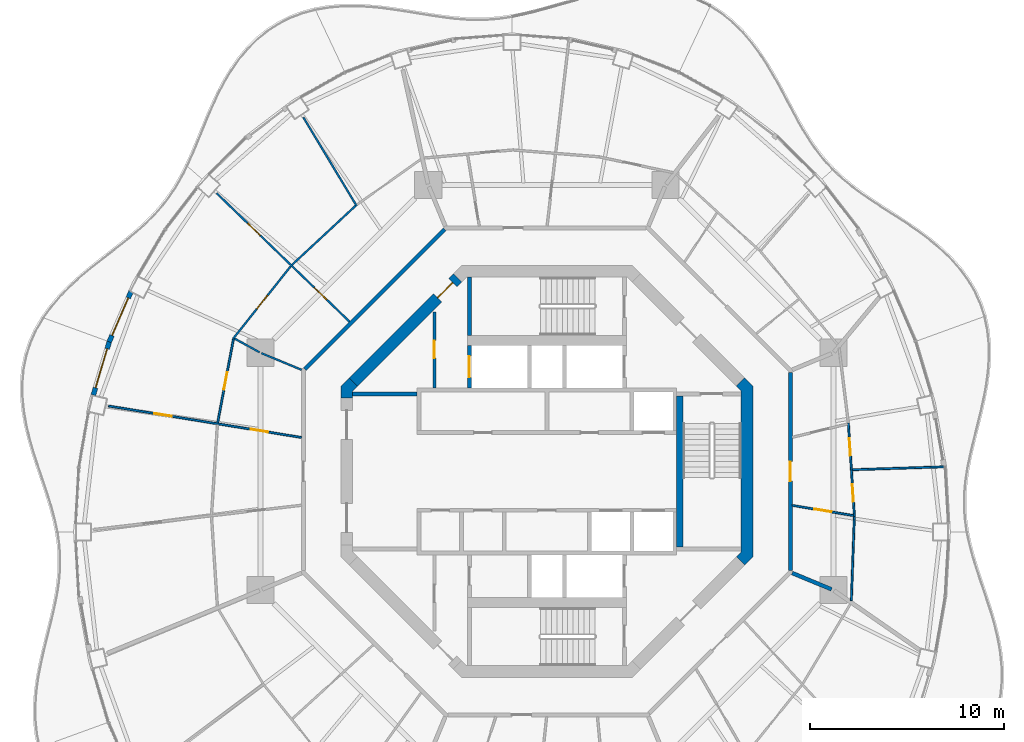
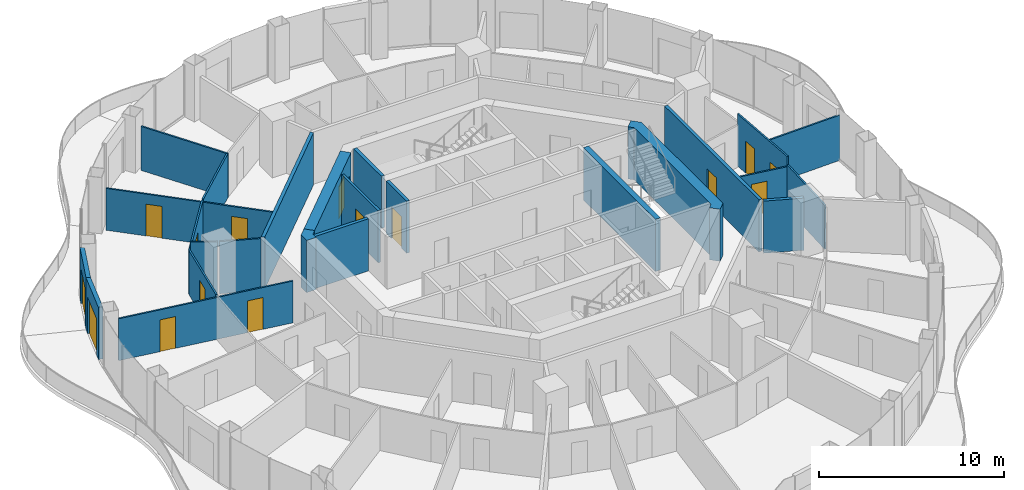
# One storey, part 12 of 17: 25 walls, 15 doors, 15 openings.
"""IFC4 building model written with IfcOpenShell, lengths in metres."""

from ifc_helpers import new_model, si_unit, direction, frame, frame_2d, origin, place, context, subcontext, project, spatial, polyline, rectangle, outline, extrude, material, layer, layer_set, type_object, element, fill, save


model = new_model("IFC4")

# Units and contexts
model_context = context("Model", 3, precision=1e-05, world=origin(), true_north=direction((0.0, 1.0)))
body_context = subcontext(model_context, "Body", "Model", "MODEL_VIEW")
ifc_project = project(units=[si_unit("LENGTHUNIT", "METRE"), si_unit("AREAUNIT", "SQUARE_METRE"), si_unit("VOLUMEUNIT", "CUBIC_METRE"), si_unit("PLANEANGLEUNIT", "RADIAN"), si_unit("MASSUNIT", "GRAM", prefix="KILO")], contexts=[model_context])

# Site, building, storey
site_placement = place(None, origin())
site = spatial("IfcSite", under=ifc_project, at=site_placement, CompositionType="ELEMENT")
building_placement = place(site_placement, origin())
building = spatial("IfcBuilding", under=site, at=building_placement, Name="Nagisa Residences", CompositionType="ELEMENT")
storey_placement = place(building_placement, frame((0.0, 0.0, 288.10009765625)))
storey = spatial("IfcBuildingStorey", under=building, at=storey_placement, Name="L73", CompositionType="ELEMENT", Elevation=288.10009765625)

# Wall
ifc_material_1 = material(Name="Gypsum board on steel studs", Category="steel")
ifc_layer_1 = layer(ifc_material_1, 0.199951171875)
ifc_layer_set_1 = layer_set([ifc_layer_1], Name="Apartment compartment wall EI60 200")
wall_type_1 = type_object("IfcWallType", Name="Apartment compartment wall EI60 200", PredefinedType="PARTITIONING", material=ifc_layer_set_1)
wall_1_placement = place(storey_placement, frame((12.6572265625, -5.24267578125, 0.0), z_axis=(0.0, 0.0, 1.0), x_axis=(0.92383017907, -0.382802560388, 0.0)))
element("IfcWall", 1, at=wall_1_placement, inside=storey, type_object=wall_type_1, Name="wall:L73:u12", PredefinedType="PARTITIONING", context=body_context, shape_type="SweptSolid", body=[
    extrude(rectangle(XDim=2.2001953125, YDim=0.199951171875, at=frame_2d((1.10009765625, 0.0))), origin(), (0.0, 0.0, 1.0), 3.43994140625),
])

# Wall, opening, door
ifc_material_2 = material(Name="Gypsum board on steel studs", Category="steel")
ifc_layer_2 = layer(ifc_material_2, 0.199951171875)
ifc_layer_set_2 = layer_set([ifc_layer_2], Name="Apartment entry wall EI60 200")
wall_type_2 = type_object("IfcWallType", Name="Apartment entry wall EI60 200", PredefinedType="PARTITIONING", material=ifc_layer_set_2)
wall_2_placement = place(storey_placement, frame((12.564697265625, -5.1044921875, 0.0), z_axis=(0.0, 0.0, 1.0), x_axis=(0.0, 1.0, 0.0)))
wall_2 = element("IfcWall", 2, at=wall_2_placement, inside=storey, type_object=wall_type_2, Name="wall:L73:u14", PredefinedType="PARTITIONING", context=body_context, shape_type="SweptSolid", body=[
    extrude(rectangle(XDim=10.208984375, YDim=0.199951171875, at=frame_2d((5.1044921875, 0.0))), origin(), (0.0, 0.0, 1.0), 3.43994140625),
])
opening_1_placement = place(wall_2_placement, frame((4.6044921875, 0.0, 0.0)))
opening_1 = element("IfcOpeningElement", 3, at=opening_1_placement, cuts=wall_2, Name="Opening L73-U20", PredefinedType="OPENING", context=body_context, shape_type="SweptSolid", body=[
    extrude(rectangle(XDim=1.0, YDim=2.10009765625, at=frame_2d((0.5, 1.050048828125))), frame((0.0, 0.10986328125, 0.0), z_axis=(0.0, -1.0, 0.0), x_axis=(1.0, 0.0, 0.0)), (0.0, 0.0, 1.0), 0.219970703125),
])
ifc_material_3 = material(Name="Timber fire door set", Category="wood")
door_type_1 = type_object("IfcDoorType", Name="Apartment entry door FD30S 1000x2100", OperationType="NOTDEFINED", PredefinedType="DOOR", material=ifc_material_3)
door_1_placement = place(opening_1_placement, frame((1.0, 0.0, 0.0), x_axis=(-1.0, 0.0, 0.0)))
door_1 = element("IfcDoor", 4, at=door_1_placement, inside=storey, type_object=door_type_1, Name="Entry door, Apartment 73D", OperationType="SINGLE_SWING_LEFT", OverallHeight=2.10009765625, OverallWidth=1.0, PredefinedType="DOOR", context=body_context, shape_type="SweptSolid", body=[
    extrude(rectangle(XDim=1.0, YDim=2.10009765625, at=frame_2d((0.5, 1.050048828125))), frame((0.0, 0.02490234375, 0.0), z_axis=(0.0, -1.0, 0.0), x_axis=(1.0, 0.0, 0.0)), (0.0, 0.0, 1.0), 0.050048828125),
])
fill(opening_1, door_1)

# Wall
wall_3_placement = place(storey_placement, frame((-5.275146484375, 12.494140625, 0.0), z_axis=(0.0, 0.0, 1.0), x_axis=(-0.707106781187, -0.707106781187, 0.0)))
element("IfcWall", 5, at=wall_3_placement, inside=storey, type_object=wall_type_2, Name="wall:L73:u17", PredefinedType="PARTITIONING", context=body_context, shape_type="SweptSolid", body=[
    extrude(rectangle(XDim=10.209228515625, YDim=0.199951171875, at=frame_2d((5.1044921875, 0.0))), origin(), (0.0, 0.0, 1.0), 3.43994140625),
])

# Wall, opening, door
ifc_material_4 = material(Name="Gypsum board on steel studs", Category="steel")
ifc_layer_3 = layer(ifc_material_4, 0.10009765625)
ifc_layer_set_3 = layer_set([ifc_layer_3], Name="Apartment partition 100")
wall_type_3 = type_object("IfcWallType", Name="Apartment partition 100", PredefinedType="PARTITIONING", material=ifc_layer_set_3)
wall_4_placement = place(storey_placement, frame((12.663330078125, -1.75146484375, 0.0), z_axis=(0.0, 0.0, 1.0), x_axis=(0.98626156497, -0.165191178529, 0.0)))
wall_4 = element("IfcWall", 6, at=wall_4_placement, inside=storey, type_object=wall_type_3, Name="wall:L73:u22", PredefinedType="PARTITIONING", context=body_context, shape_type="SweptSolid", body=[
    extrude(rectangle(XDim=3.1982421875, YDim=0.10009765625, at=frame_2d((1.59912109375, 0.0))), origin(), (0.0, 0.0, 1.0), 2.761962890625),
])
opening_2_placement = place(wall_4_placement, frame((1.149169921875, 0.0, 0.0)))
opening_2 = element("IfcOpeningElement", 7, at=opening_2_placement, cuts=wall_4, Name="Opening L73-U21", PredefinedType="OPENING", context=body_context, shape_type="SweptSolid", body=[
    extrude(rectangle(XDim=0.89990234375, YDim=2.10009765625, at=frame_2d((0.449951171875, 1.050048828125))), frame((0.0, 0.06005859375, 0.0), z_axis=(0.0, -1.0, 0.0), x_axis=(1.0, 0.0, 0.0)), (0.0, 0.0, 1.0), 0.1201171875),
])
ifc_material_5 = material(Name="Timber door set", Category="wood")
door_type_2 = type_object("IfcDoorType", Name="Apartment door 900x2100", OperationType="NOTDEFINED", PredefinedType="DOOR", material=ifc_material_5)
door_2_placement = place(opening_2_placement, frame((0.89990234375, 0.0, 0.0), x_axis=(-1.0, 0.0, 0.0)))
door_2 = element("IfcDoor", 8, at=door_2_placement, inside=storey, type_object=door_type_2, Name="Door to family bathroom, Apartment 73D", OperationType="SINGLE_SWING_RIGHT", OverallHeight=2.10009765625, OverallWidth=0.89990234375, PredefinedType="DOOR", context=body_context, shape_type="SweptSolid", body=[
    extrude(rectangle(XDim=0.89990234375, YDim=2.10009765625, at=frame_2d((0.449951171875, 1.050048828125))), frame((0.0, 0.02490234375, 0.0), z_axis=(0.0, -1.0, 0.0), x_axis=(1.0, 0.0, 0.0)), (0.0, 0.0, 1.0), 0.050048828125),
])
fill(opening_2, door_2)

# Wall, openings, doors
wall_5_placement = place(storey_placement, frame((15.8701171875, -2.337890625, 0.0), z_axis=(0.0, 0.0, 1.0), x_axis=(-0.064797294757, 0.997898447034, 0.0)))
wall_5 = element("IfcWall", 9, at=wall_5_placement, inside=storey, type_object=wall_type_3, Name="wall:L73:u23", PredefinedType="PARTITIONING", context=body_context, shape_type="SweptSolid", body=[
    extrude(rectangle(XDim=4.856689453125, YDim=0.10009765625, at=frame_2d((2.42822265625, 0.0))), origin(), (0.0, 0.0, 1.0), 3.43994140625),
])
opening_3_placement = place(wall_5_placement, frame((0.789306640625, 0.0, 0.0)))
opening_3 = element("IfcOpeningElement", 10, at=opening_3_placement, cuts=wall_5, Name="Opening L73-U23", PredefinedType="OPENING", context=body_context, shape_type="SweptSolid", body=[
    extrude(rectangle(XDim=0.89990234375, YDim=2.10009765625, at=frame_2d((0.449951171875, 1.050048828125))), frame((0.0, 0.06005859375, 0.0), z_axis=(0.0, -1.0, 0.0), x_axis=(1.0, 0.0, 0.0)), (0.0, 0.0, 1.0), 0.1201171875),
])
opening_4_placement = place(wall_5_placement, frame((3.16748046875, 0.0, 0.0)))
opening_4 = element("IfcOpeningElement", 11, at=opening_4_placement, cuts=wall_5, Name="Opening L73-U24", PredefinedType="OPENING", context=body_context, shape_type="SweptSolid", body=[
    extrude(rectangle(XDim=0.89990234375, YDim=2.10009765625, at=frame_2d((0.449951171875, 1.050048828125))), frame((0.0, 0.06005859375, 0.0), z_axis=(0.0, -1.0, 0.0), x_axis=(1.0, 0.0, 0.0)), (0.0, 0.0, 1.0), 0.1201171875),
])
door_3_placement = place(opening_3_placement, frame((0.89990234375, 0.0, 0.0), x_axis=(-1.0, 0.0, 0.0)))
door_3 = element("IfcDoor", 12, at=door_3_placement, inside=storey, type_object=door_type_2, Name="Door to kitchen, Apartment 73D", OperationType="SINGLE_SWING_RIGHT", OverallHeight=2.10009765625, OverallWidth=0.89990234375, PredefinedType="DOOR", context=body_context, shape_type="SweptSolid", body=[
    extrude(rectangle(XDim=0.89990234375, YDim=2.10009765625, at=frame_2d((0.449951171875, 1.050048828125))), frame((0.0, 0.02490234375, 0.0), z_axis=(0.0, -1.0, 0.0), x_axis=(1.0, 0.0, 0.0)), (0.0, 0.0, 1.0), 0.050048828125),
])
fill(opening_3, door_3)
door_4_placement = place(opening_4_placement, frame((0.89990234375, 0.0, 0.0), x_axis=(-1.0, 0.0, 0.0)))
door_4 = element("IfcDoor", 13, at=door_4_placement, inside=storey, type_object=door_type_2, Name="Door to master bedroom, Apartment 73D", OperationType="SINGLE_SWING_LEFT", OverallHeight=2.10009765625, OverallWidth=0.89990234375, PredefinedType="DOOR", context=body_context, shape_type="SweptSolid", body=[
    extrude(rectangle(XDim=0.89990234375, YDim=2.10009765625, at=frame_2d((0.449951171875, 1.050048828125))), frame((0.0, 0.02490234375, 0.0), z_axis=(0.0, -1.0, 0.0), x_axis=(1.0, 0.0, 0.0)), (0.0, 0.0, 1.0), 0.050048828125),
])
fill(opening_4, door_4)

# Walls
wall_6_placement = place(storey_placement, frame((15.864990234375, -2.337890625, 0.0), z_axis=(0.0, 0.0, 1.0), x_axis=(-0.035864509465, -0.999356661538, 0.0)))
element("IfcWall", 14, at=wall_6_placement, inside=storey, type_object=wall_type_3, Name="wall:L73:u24", PredefinedType="PARTITIONING", context=body_context, shape_type="SweptSolid", body=[
    extrude(rectangle(XDim=4.329345703125, YDim=0.10009765625, at=frame_2d((2.16455078125, 0.0))), origin(), (0.0, 0.0, 1.0), 2.90478515625),
])
wall_7_placement = place(storey_placement, frame((15.7626953125, 0.0869140625, 0.0), z_axis=(0.0, 0.0, 1.0), x_axis=(0.999492034598, 0.03186962151, 0.0)))
element("IfcWall", 15, at=wall_7_placement, inside=storey, type_object=wall_type_3, Name="wall:L73:u25", PredefinedType="PARTITIONING", context=body_context, shape_type="SweptSolid", body=[
    extrude(rectangle(XDim=4.826171875, YDim=0.10009765625, at=frame_2d((2.4130859375, 0.0))), origin(), (0.0, 0.0, 1.0), 2.98291015625),
])
wall_8_placement = place(storey_placement, frame((-9.81298828125, 13.693359375, 0.0), z_axis=(0.0, 0.0, 1.0), x_axis=(-0.515509511815, 0.856883856324, 0.0)))
element("IfcWall", 16, at=wall_8_placement, inside=storey, type_object=wall_type_3, Name="wall:L73:u39", PredefinedType="PARTITIONING", context=body_context, shape_type="SweptSolid", body=[
    extrude(rectangle(XDim=5.345947265625, YDim=0.10009765625, at=frame_2d((2.6728515625, 0.0))), origin(), (0.0, 0.0, 1.0), 2.90478515625),
])
wall_9_placement = place(storey_placement, frame((-9.87548828125, 13.702392578125, 0.0), z_axis=(0.0, 0.0, 1.0), x_axis=(-0.732618266441, -0.680639754699, 0.0)))
element("IfcWall", 17, at=wall_9_placement, inside=storey, type_object=wall_type_3, Name="wall:L73:u40", PredefinedType="PARTITIONING", context=body_context, shape_type="SweptSolid", body=[
    extrude(rectangle(XDim=4.466796875, YDim=0.10009765625, at=frame_2d((2.2333984375, 0.0))), origin(), (0.0, 0.0, 1.0), 2.90478515625),
])

# Wall, openings, doors
wall_10_placement = place(storey_placement, frame((-10.183349609375, 7.727294921875, 0.0), z_axis=(0.0, 0.0, 1.0), x_axis=(-0.719063433856, 0.694944442449, 0.0)))
wall_10 = element("IfcWall", 18, at=wall_10_placement, inside=storey, type_object=wall_type_3, Name="wall:L73:u41", PredefinedType="PARTITIONING", context=body_context, shape_type="SweptSolid", body=[
    extrude(rectangle(XDim=9.53515625, YDim=0.10009765625, at=frame_2d((4.767578125, 0.0))), origin(), (0.0, 0.0, 1.0), 2.761962890625),
])
opening_5_placement = place(wall_10_placement, frame((6.404541015625, 0.0, 0.0)))
opening_5 = element("IfcOpeningElement", 19, at=opening_5_placement, cuts=wall_10, Name="Opening L73-U42", PredefinedType="OPENING", context=body_context, shape_type="SweptSolid", body=[
    extrude(rectangle(XDim=0.89990234375, YDim=2.10009765625, at=frame_2d((0.449951171875, 1.050048828125))), frame((0.0, 0.06005859375, 0.0), z_axis=(0.0, -1.0, 0.0), x_axis=(1.0, 0.0, 0.0)), (0.0, 0.0, 1.0), 0.1201171875),
])
opening_6_placement = place(wall_10_placement, frame((1.636962890625, 0.0, 0.0)))
opening_6 = element("IfcOpeningElement", 20, at=opening_6_placement, cuts=wall_10, Name="Opening L73-U43", PredefinedType="OPENING", context=body_context, shape_type="SweptSolid", body=[
    extrude(rectangle(XDim=0.89990234375, YDim=2.10009765625, at=frame_2d((0.449951171875, 1.050048828125))), frame((0.0, 0.06005859375, 0.0), z_axis=(0.0, -1.0, 0.0), x_axis=(1.0, 0.0, 0.0)), (0.0, 0.0, 1.0), 0.1201171875),
])
door_5_placement = place(opening_5_placement, frame((0.89990234375, 0.0, 0.0), x_axis=(-1.0, 0.0, 0.0)))
door_5 = element("IfcDoor", 21, at=door_5_placement, inside=storey, type_object=door_type_2, Name="Door to master bedroom, Apartment 73G", OperationType="SINGLE_SWING_LEFT", OverallHeight=2.10009765625, OverallWidth=0.89990234375, PredefinedType="DOOR", context=body_context, shape_type="SweptSolid", body=[
    extrude(rectangle(XDim=0.89990234375, YDim=2.10009765625, at=frame_2d((0.449951171875, 1.050048828125))), frame((0.0, 0.02490234375, 0.0), z_axis=(0.0, -1.0, 0.0), x_axis=(1.0, 0.0, 0.0)), (0.0, 0.0, 1.0), 0.050048828125),
])
fill(opening_5, door_5)
door_6_placement = place(opening_6_placement, frame((0.89990234375, 0.0, 0.0), x_axis=(-1.0, 0.0, 0.0)))
door_6 = element("IfcDoor", 22, at=door_6_placement, inside=storey, type_object=door_type_2, Name="Door to store, Apartment 73G", OperationType="SINGLE_SWING_RIGHT", OverallHeight=2.10009765625, OverallWidth=0.89990234375, PredefinedType="DOOR", context=body_context, shape_type="SweptSolid", body=[
    extrude(rectangle(XDim=0.89990234375, YDim=2.10009765625, at=frame_2d((0.449951171875, 1.050048828125))), frame((0.0, 0.02490234375, 0.0), z_axis=(0.0, -1.0, 0.0), x_axis=(1.0, 0.0, 0.0)), (0.0, 0.0, 1.0), 0.050048828125),
])
fill(opening_6, door_6)

# Wall, opening, door
wall_11_placement = place(storey_placement, frame((-13.2158203125, 10.5888671875, 0.0), z_axis=(0.0, 0.0, 1.0), x_axis=(-0.622272178674, -0.782800955319, 0.0)))
wall_11 = element("IfcWall", 23, at=wall_11_placement, inside=storey, type_object=wall_type_3, Name="wall:L73:u42", PredefinedType="PARTITIONING", context=body_context, shape_type="SweptSolid", body=[
    extrude(rectangle(XDim=4.7861328125, YDim=0.10009765625, at=frame_2d((2.39306640625, 0.0))), origin(), (0.0, 0.0, 1.0), 2.90478515625),
])
opening_7_placement = place(wall_11_placement, frame((1.918212890625, 0.0, 0.0)))
opening_7 = element("IfcOpeningElement", 24, at=opening_7_placement, cuts=wall_11, Name="Opening L73-U41", PredefinedType="OPENING", context=body_context, shape_type="SweptSolid", body=[
    extrude(rectangle(XDim=0.89990234375, YDim=2.10009765625, at=frame_2d((0.449951171875, 1.050048828125))), frame((0.0, 0.06005859375, 0.0), z_axis=(0.0, -1.0, 0.0), x_axis=(1.0, 0.0, 0.0)), (0.0, 0.0, 1.0), 0.1201171875),
])
door_7_placement = place(opening_7_placement, origin())
door_7 = element("IfcDoor", 25, at=door_7_placement, inside=storey, type_object=door_type_2, Name="Door to laundry, Apartment 73G", OperationType="SINGLE_SWING_LEFT", OverallHeight=2.10009765625, OverallWidth=0.89990234375, PredefinedType="DOOR", context=body_context, shape_type="SweptSolid", body=[
    extrude(rectangle(XDim=0.89990234375, YDim=2.10009765625, at=frame_2d((0.449951171875, 1.050048828125))), frame((0.0, 0.02490234375, 0.0), z_axis=(0.0, -1.0, 0.0), x_axis=(1.0, 0.0, 0.0)), (0.0, 0.0, 1.0), 0.050048828125),
])
fill(opening_7, door_7)

# Walls
wall_12_placement = place(storey_placement, frame((-12.6572265625, 5.24267578125, 0.0), z_axis=(0.0, 0.0, 1.0), x_axis=(-0.923864733477, 0.382719158442, 0.0)))
element("IfcWall", 26, at=wall_12_placement, inside=storey, type_object=wall_type_3, Name="wall:L73:u43", PredefinedType="PARTITIONING", context=body_context, shape_type="SweptSolid", body=[
    extrude(rectangle(XDim=2.25, YDim=0.10009765625, at=frame_2d((1.125, 0.0))), origin(), (0.0, 0.0, 1.0), 3.43994140625),
])
wall_13_placement = place(storey_placement, frame((-14.826171875, 6.14697265625, 0.0), z_axis=(0.0, 0.0, 1.0), x_axis=(-0.876411496923, 0.481562963755, 0.0)))
element("IfcWall", 27, at=wall_13_placement, inside=storey, type_object=wall_type_3, Name="wall:L73:u44", PredefinedType="PARTITIONING", context=body_context, shape_type="SweptSolid", body=[
    extrude(rectangle(XDim=1.475341796875, YDim=0.10009765625, at=frame_2d((0.73779296875, 0.0))), origin(), (0.0, 0.0, 1.0), 3.43994140625),
])

# Wall, opening, door
wall_14_placement = place(storey_placement, frame((-16.172119140625, 6.832275390625, 0.0), z_axis=(0.0, 0.0, 1.0), x_axis=(-0.185671645069, -0.982611846162, 0.0)))
wall_14 = element("IfcWall", 28, at=wall_14_placement, inside=storey, type_object=wall_type_3, Name="wall:L73:u45", PredefinedType="PARTITIONING", context=body_context, shape_type="SweptSolid", body=[
    extrude(rectangle(XDim=4.40087890625, YDim=0.10009765625, at=frame_2d((2.200439453125, 0.0))), origin(), (0.0, 0.0, 1.0), 2.90478515625),
])
opening_8_placement = place(wall_14_placement, frame((1.75048828125, 0.0, 0.0)))
opening_8 = element("IfcOpeningElement", 29, at=opening_8_placement, cuts=wall_14, Name="Opening L73-U38", PredefinedType="OPENING", context=body_context, shape_type="SweptSolid", body=[
    extrude(rectangle(XDim=0.89990234375, YDim=2.10009765625, at=frame_2d((0.449951171875, 1.050048828125))), frame((0.0, 0.06005859375, 0.0), z_axis=(0.0, -1.0, 0.0), x_axis=(1.0, 0.0, 0.0)), (0.0, 0.0, 1.0), 0.1201171875),
])
door_8_placement = place(opening_8_placement, frame((0.89990234375, 0.0, 0.0), x_axis=(-1.0, 0.0, 0.0)))
door_8 = element("IfcDoor", 30, at=door_8_placement, inside=storey, type_object=door_type_2, Name="Door to living room, Apartment 73G", OperationType="SINGLE_SWING_LEFT", OverallHeight=2.10009765625, OverallWidth=0.89990234375, PredefinedType="DOOR", context=body_context, shape_type="SweptSolid", body=[
    extrude(rectangle(XDim=0.89990234375, YDim=2.10009765625, at=frame_2d((0.449951171875, 1.050048828125))), frame((0.0, 0.02490234375, 0.0), z_axis=(0.0, -1.0, 0.0), x_axis=(1.0, 0.0, 0.0)), (0.0, 0.0, 1.0), 0.050048828125),
])
fill(opening_8, door_8)

# Wall, openings, doors
wall_15_placement = place(storey_placement, frame((-12.66357421875, 1.7509765625, 0.0), z_axis=(0.0, 0.0, 1.0), x_axis=(-0.986935394566, 0.161116501183, 0.0)))
wall_15 = element("IfcWall", 31, at=wall_15_placement, inside=storey, type_object=wall_type_3, Name="wall:L73:u46", PredefinedType="PARTITIONING", context=body_context, shape_type="SweptSolid", body=[
    extrude(rectangle(XDim=10.0859375, YDim=0.10009765625, at=frame_2d((5.04296875, 0.0))), origin(), (0.0, 0.0, 1.0), 2.761962890625),
])
opening_9_placement = place(wall_15_placement, frame((1.74609375, 0.0, 0.0)))
opening_9 = element("IfcOpeningElement", 32, at=opening_9_placement, cuts=wall_15, Name="Opening L73-U36", PredefinedType="OPENING", context=body_context, shape_type="SweptSolid", body=[
    extrude(rectangle(XDim=0.89990234375, YDim=2.10009765625, at=frame_2d((0.449951171875, 1.050048828125))), frame((0.0, 0.06005859375, 0.0), z_axis=(0.0, -1.0, 0.0), x_axis=(1.0, 0.0, 0.0)), (0.0, 0.0, 1.0), 0.1201171875),
])
opening_10_placement = place(wall_15_placement, frame((6.789306640625, 0.0, 0.0)))
opening_10 = element("IfcOpeningElement", 33, at=opening_10_placement, cuts=wall_15, Name="Opening L73-U39", PredefinedType="OPENING", context=body_context, shape_type="SweptSolid", body=[
    extrude(rectangle(XDim=0.89990234375, YDim=2.10009765625, at=frame_2d((0.449951171875, 1.050048828125))), frame((0.0, 0.06005859375, 0.0), z_axis=(0.0, -1.0, 0.0), x_axis=(1.0, 0.0, 0.0)), (0.0, 0.0, 1.0), 0.1201171875),
])
door_9_placement = place(opening_9_placement, frame((0.89990234375, 0.0, 0.0), x_axis=(-1.0, 0.0, 0.0)))
door_9 = element("IfcDoor", 34, at=door_9_placement, inside=storey, type_object=door_type_2, Name="Door to laundry, Apartment 73G", OperationType="SINGLE_SWING_LEFT", OverallHeight=2.10009765625, OverallWidth=0.89990234375, PredefinedType="DOOR", context=body_context, shape_type="SweptSolid", body=[
    extrude(rectangle(XDim=0.89990234375, YDim=2.10009765625, at=frame_2d((0.449951171875, 1.050048828125))), frame((0.0, 0.02490234375, 0.0), z_axis=(0.0, -1.0, 0.0), x_axis=(1.0, 0.0, 0.0)), (0.0, 0.0, 1.0), 0.050048828125),
])
fill(opening_9, door_9)
door_10_placement = place(opening_10_placement, origin())
door_10 = element("IfcDoor", 35, at=door_10_placement, inside=storey, type_object=door_type_2, Name="Door to tatami room, Apartment 73G", OperationType="SINGLE_SWING_LEFT", OverallHeight=2.10009765625, OverallWidth=0.89990234375, PredefinedType="DOOR", context=body_context, shape_type="SweptSolid", body=[
    extrude(rectangle(XDim=0.89990234375, YDim=2.10009765625, at=frame_2d((0.449951171875, 1.050048828125))), frame((0.0, 0.02490234375, 0.0), z_axis=(0.0, -1.0, 0.0), x_axis=(1.0, 0.0, 0.0)), (0.0, 0.0, 1.0), 0.050048828125),
])
fill(opening_10, door_10)

# Wall, opening, door
ifc_material_6 = material(Name="Precast concrete C40/50", Category="concrete")
ifc_layer_4 = layer(ifc_material_6, 0.25)
ifc_layer_set_4 = layer_set([ifc_layer_4], Name="BALCONY DOOR WALL 250")
wall_type_4 = type_object("IfcWallType", Name="BALCONY DOOR WALL 250", PredefinedType="SOLIDWALL", material=ifc_layer_set_4)
wall_16_placement = place(storey_placement, frame((-22.58349609375, 6.682861328125, 0.0), z_axis=(0.0, 0.0, 1.0), x_axis=(0.397597791596, 0.9175598052, 0.0)))
wall_16 = element("IfcWall", 36, at=wall_16_placement, inside=storey, type_object=wall_type_4, Name="wall:L73:bay20", PredefinedType="SOLIDWALL", context=body_context, shape_type="SweptSolid", body=[
    extrude(rectangle(XDim=2.841064453125, YDim=0.25, at=frame_2d((1.42041015625, 0.0))), origin(), (0.0, 0.0, 1.0), 3.43994140625),
])
opening_11_placement = place(wall_16_placement, frame((0.37060546875, 0.0, 0.0)))
opening_11 = element("IfcOpeningElement", 37, at=opening_11_placement, cuts=wall_16, Name="Opening BD-L73-07", PredefinedType="OPENING", context=body_context, shape_type="SweptSolid", body=[
    extrude(rectangle(XDim=2.10009765625, YDim=2.39990234375, at=frame_2d((1.050048828125, 1.199951171875))), frame((0.0, 0.135009765625, 0.0), z_axis=(0.0, -1.0, 0.0), x_axis=(1.0, 0.0, 0.0)), (0.0, 0.0, 1.0), 0.27001953125),
])
ifc_material_7 = material(Name="Aluminium and clear glass", Category="aluminium")
door_type_3 = type_object("IfcDoorType", Name="BALCONY SLIDING DOOR 2100x2400", OperationType="SLIDING_TO_LEFT", PredefinedType="DOOR", material=ifc_material_7)
door_11_placement = place(opening_11_placement, origin())
door_11 = element("IfcDoor", 38, at=door_11_placement, inside=storey, type_object=door_type_3, Name="door:L73:bay20", OperationType="SLIDING_TO_LEFT", OverallHeight=2.39990234375, OverallWidth=2.10009765625, PredefinedType="DOOR", context=body_context, shape_type="SweptSolid", body=[
    extrude(rectangle(XDim=2.10009765625, YDim=2.39990234375, at=frame_2d((1.050048828125, 1.199951171875))), frame((0.0, 0.02490234375, 0.0), z_axis=(0.0, -1.0, 0.0), x_axis=(1.0, 0.0, 0.0)), (0.0, 0.0, 1.0), 0.050048828125),
])
fill(opening_11, door_11)

wall_17_placement = place(storey_placement, frame((-23.40087890625, 3.939697265625, 0.0), z_axis=(0.0, 0.0, 1.0), x_axis=(0.285876209024, 0.9582665564, 0.0)))
wall_17 = element("IfcWall", 39, at=wall_17_placement, inside=storey, type_object=wall_type_4, Name="wall:L73:bay21", PredefinedType="SOLIDWALL", context=body_context, shape_type="SweptSolid", body=[
    extrude(rectangle(XDim=2.877197265625, YDim=0.25, at=frame_2d((1.4384765625, 0.0))), origin(), (0.0, 0.0, 1.0), 3.43994140625),
])
opening_12_placement = place(wall_17_placement, frame((0.388671875, 0.0, 0.0)))
opening_12 = element("IfcOpeningElement", 40, at=opening_12_placement, cuts=wall_17, Name="Opening BD-L73-08", PredefinedType="OPENING", context=body_context, shape_type="SweptSolid", body=[
    extrude(rectangle(XDim=2.10009765625, YDim=2.39990234375, at=frame_2d((1.050048828125, 1.199951171875))), frame((0.0, 0.135009765625, 0.0), z_axis=(0.0, -1.0, 0.0), x_axis=(1.0, 0.0, 0.0)), (0.0, 0.0, 1.0), 0.27001953125),
])
door_12_placement = place(opening_12_placement, origin())
door_12 = element("IfcDoor", 41, at=door_12_placement, inside=storey, type_object=door_type_3, Name="door:L73:bay21", OperationType="SLIDING_TO_LEFT", OverallHeight=2.39990234375, OverallWidth=2.10009765625, PredefinedType="DOOR", context=body_context, shape_type="SweptSolid", body=[
    extrude(rectangle(XDim=2.10009765625, YDim=2.39990234375, at=frame_2d((1.050048828125, 1.199951171875))), frame((0.0, 0.02490234375, 0.0), z_axis=(0.0, -1.0, 0.0), x_axis=(1.0, 0.0, 0.0)), (0.0, 0.0, 1.0), 0.050048828125),
])
fill(opening_12, door_12)

ifc_material_8 = material(Name="Gypsum board on steel studs", Category="steel")
ifc_layer_5 = layer(ifc_material_8, 0.14990234375)
ifc_layer_set_5 = layer_set([ifc_layer_5], Name="Core partition 150")
wall_type_5 = type_object("IfcWallType", Name="Core partition 150", PredefinedType="PARTITIONING", material=ifc_layer_set_5)
wall_18_placement = place(storey_placement, frame((-5.800048828125, 4.300048828125, 0.0), z_axis=(0.0, 0.0, 1.0), x_axis=(0.0, 1.0, 0.0)))
wall_18 = element("IfcWall", 42, at=wall_18_placement, inside=storey, type_object=wall_type_5, Name="wall:L73:NWp", PredefinedType="PARTITIONING", context=body_context, shape_type="SweptSolid", body=[
    extrude(rectangle(XDim=3.927001953125, YDim=0.14990234375, at=frame_2d((1.96337890625, 0.0))), origin(), (0.0, 0.0, 1.0), 3.43994140625),
])
opening_13_placement = place(wall_18_placement, frame((1.551025390625, 0.0, 0.0)))
opening_13 = element("IfcOpeningElement", 43, at=opening_13_placement, cuts=wall_18, Name="Opening L73-C10", PredefinedType="OPENING", context=body_context, shape_type="SweptSolid", body=[
    extrude(rectangle(XDim=0.89990234375, YDim=2.10009765625, at=frame_2d((0.449951171875, 1.050048828125))), frame((0.0, 0.0849609375, 0.0), z_axis=(0.0, -1.0, 0.0), x_axis=(1.0, 0.0, 0.0)), (0.0, 0.0, 1.0), 0.169921875),
])
ifc_material_9 = material(Name="Steel fire door", Category="steel")
door_type_4 = type_object("IfcDoorType", Name="Fire door EI30 900x2100 single swing", OperationType="NOTDEFINED", PredefinedType="DOOR", material=ifc_material_9)
door_13_placement = place(opening_13_placement, origin())
door_13 = element("IfcDoor", 44, at=door_13_placement, inside=storey, type_object=door_type_4, Name="Staff WC door L73", OperationType="SINGLE_SWING_RIGHT", OverallHeight=2.10009765625, OverallWidth=0.89990234375, PredefinedType="DOOR", context=body_context, shape_type="SweptSolid", body=[
    extrude(rectangle(XDim=0.89990234375, YDim=2.10009765625, at=frame_2d((0.449951171875, 1.050048828125))), frame((0.0, 0.02490234375, 0.0), z_axis=(0.0, -1.0, 0.0), x_axis=(1.0, 0.0, 0.0)), (0.0, 0.0, 1.0), 0.050048828125),
])
fill(opening_13, door_13)

# Wall
ifc_material_10 = material(Name="Gypsum board on steel studs", Category="steel")
ifc_layer_6 = layer(ifc_material_10, 0.199951171875)
ifc_layer_set_6 = layer_set([ifc_layer_6], Name="Core partition 200")
wall_type_6 = type_object("IfcWallType", Name="Core partition 200", PredefinedType="PARTITIONING", material=ifc_layer_set_6)
wall_19_placement = place(storey_placement, frame((-10.024658203125, 4.0, 0.0), z_axis=(0.0, 0.0, 1.0), x_axis=(1.0, 0.0, 0.0)))
element("IfcWall", 45, at=wall_19_placement, inside=storey, type_object=wall_type_6, Name="wall:L73:PNW", PredefinedType="PARTITIONING", context=body_context, shape_type="SweptSolid", body=[
    extrude(rectangle(XDim=3.32470703125, YDim=0.199951171875, at=frame_2d((1.662353515625, 0.0))), origin(), (0.0, 0.0, 1.0), 3.43994140625),
])

# Wall, opening, door
ifc_material_11 = material(Name="Concrete C60", Category="concrete")
ifc_layer_7 = layer(ifc_material_11, 0.60009765625)
ifc_layer_set_7 = layer_set([ifc_layer_7], Name="Core shear wall 600")
wall_type_7 = type_object("IfcWallType", Name="Core shear wall 600", PredefinedType="SHEAR", material=ifc_layer_set_7)
wall_20_placement = place(storey_placement, frame((-4.613037109375, 9.98828125, 0.0), z_axis=(0.0, 0.0, 1.0), x_axis=(-0.707106781187, -0.707106781187, 0.0)))
wall_20 = element("IfcWall", 46, at=wall_20_placement, inside=storey, type_object=wall_type_7, Name="wall:L73:core:flat3", PredefinedType="SHEAR", context=body_context, shape_type="SweptSolid", body=[
    extrude(rectangle(XDim=7.601806640625, YDim=0.60009765625, at=frame_2d((3.80078125, 0.0))), origin(), (0.0, 0.0, 1.0), 3.43994140625),
])
opening_14_placement = place(wall_20_placement, frame((0.350830078125, 0.0, 0.0)))
opening_14 = element("IfcOpeningElement", 47, at=opening_14_placement, cuts=wall_20, Name="Opening L73-C22", PredefinedType="OPENING", context=body_context, shape_type="SweptSolid", body=[
    extrude(rectangle(XDim=1.10009765625, YDim=2.10009765625, at=frame_2d((0.550048828125, 1.050048828125))), frame((0.0, 0.31005859375, 0.0), z_axis=(0.0, -1.0, 0.0), x_axis=(1.0, 0.0, 0.0)), (0.0, 0.0, 1.0), 0.6201171875),
])
ifc_material_12 = material(Name="Steel fire door", Category="steel")
door_type_5 = type_object("IfcDoorType", Name="Fire door EI60 1100x2100 single swing", OperationType="NOTDEFINED", PredefinedType="DOOR", material=ifc_material_12)
door_14_placement = place(opening_14_placement, origin())
door_14 = element("IfcDoor", 48, at=door_14_placement, inside=storey, type_object=door_type_5, Name="Service lobby door L73", OperationType="SINGLE_SWING_LEFT", OverallHeight=2.10009765625, OverallWidth=1.10009765625, PredefinedType="DOOR", context=body_context, shape_type="SweptSolid", body=[
    extrude(rectangle(XDim=1.10009765625, YDim=2.10009765625, at=frame_2d((0.550048828125, 1.050048828125))), frame((0.0, 0.02490234375, 0.0), z_axis=(0.0, -1.0, 0.0), x_axis=(1.0, 0.0, 0.0)), (0.0, 0.0, 1.0), 0.050048828125),
])
fill(opening_14, door_14)

# Walls
wall_21_placement = place(storey_placement, origin())
element("IfcWall", 49, at=wall_21_placement, inside=storey, type_object=wall_type_7, Name="wall:L73:core:pier3", PredefinedType="SHEAR", context=body_context, shape_type="SweptSolid", body=[
    extrude(outline(polyline([(-10.200439453125, 4.8251953125), (-9.776123046875, 4.40087890625), (-10.024658203125, 4.15234375), (-10.024658203125, 3.80078125), (-10.62451171875, 3.80078125), (-10.62451171875, 4.40087890625), (-10.200439453125, 4.8251953125)])), origin(), (0.0, 0.0, 1.0), 3.43994140625),
])
wall_22_placement = place(storey_placement, origin())
element("IfcWall", 50, at=wall_22_placement, inside=storey, type_object=wall_type_7, Name="wall:L73:core:flat0", PredefinedType="SHEAR", context=body_context, shape_type="SweptSolid", body=[
    extrude(outline(polyline([(9.776123046875, -4.40087890625), (10.024658203125, -4.15234375), (10.024658203125, -3.801025390625), (10.024658203125, 4.15234375), (9.776123046875, 4.40087890625), (10.200439453125, 4.8251953125), (10.62451171875, 4.40087890625), (10.62451171875, -4.40087890625), (10.200439453125, -4.8251953125), (9.776123046875, -4.40087890625)])), origin(), (0.0, 0.0, 1.0), 3.43994140625),
])

# Wall, opening, door
ifc_material_13 = material(Name="Concrete C60", Category="concrete")
ifc_layer_8 = layer(ifc_material_13, 0.199951171875)
ifc_layer_set_8 = layer_set([ifc_layer_8], Name="Lift shaft wall 200")
wall_type_8 = type_object("IfcWallType", Name="Lift shaft wall 200", PredefinedType="SOLIDWALL", material=ifc_layer_set_8)
wall_23_placement = place(storey_placement, frame((-4.0, 4.300048828125, 0.0), z_axis=(0.0, 0.0, 1.0), x_axis=(0.0, 1.0, 0.0)))
wall_23 = element("IfcWall", 51, at=wall_23_placement, inside=storey, type_object=wall_type_8, Name="wall:L73:Nb4", PredefinedType="SOLIDWALL", context=body_context, shape_type="SweptSolid", body=[
    extrude(rectangle(XDim=2.199951171875, YDim=0.199951171875, at=frame_2d((1.10009765625, 0.0))), origin(), (0.0, 0.0, 1.0), 3.43994140625),
])
opening_15_placement = place(wall_23_placement, frame((0.550048828125, 0.0, 0.0)))
opening_15 = element("IfcOpeningElement", 52, at=opening_15_placement, cuts=wall_23, Name="Opening L73-C06", PredefinedType="OPENING", context=body_context, shape_type="SweptSolid", body=[
    extrude(rectangle(XDim=1.10009765625, YDim=2.10009765625, at=frame_2d((0.550048828125, 1.050048828125))), frame((0.0, 0.10986328125, 0.0), z_axis=(0.0, -1.0, 0.0), x_axis=(1.0, 0.0, 0.0)), (0.0, 0.0, 1.0), 0.219970703125),
])
ifc_material_14 = material(Name="Stainless steel", Category="steel")
door_type_6 = type_object("IfcDoorType", Name="Lift landing door 1100x2100", OperationType="DOUBLE_DOOR_SLIDING", PredefinedType="DOOR", material=ifc_material_14)
door_15_placement = place(opening_15_placement, origin())
door_15 = element("IfcDoor", 53, at=door_15_placement, inside=storey, type_object=door_type_6, Name="Landing door SV L73", OperationType="DOUBLE_DOOR_SLIDING", OverallHeight=2.10009765625, OverallWidth=1.10009765625, PredefinedType="DOOR", context=body_context, shape_type="SweptSolid", body=[
    extrude(rectangle(XDim=1.10009765625, YDim=2.10009765625, at=frame_2d((0.550048828125, 1.050048828125))), frame((0.0, 0.02490234375, 0.0), z_axis=(0.0, -1.0, 0.0), x_axis=(1.0, 0.0, 0.0)), (0.0, 0.0, 1.0), 0.050048828125),
])
fill(opening_15, door_15)

# Walls
ifc_material_15 = material(Name="Concrete C60", Category="concrete")
ifc_layer_9 = layer(ifc_material_15, 0.199951171875)
ifc_layer_set_9 = layer_set([ifc_layer_9], Name="Stair enclosure wall 200")
wall_type_9 = type_object("IfcWallType", Name="Stair enclosure wall 200", PredefinedType="SOLIDWALL", material=ifc_layer_set_9)
wall_24_placement = place(storey_placement, origin())
element("IfcWall", 54, at=wall_24_placement, inside=storey, type_object=wall_type_9, Name="wall:L73:SN_w", PredefinedType="SOLIDWALL", context=body_context, shape_type="SweptSolid", body=[
    extrude(outline(polyline([(-3.89990234375, 7.024658203125), (-4.10009765625, 7.024658203125), (-4.10009765625, 10.024658203125), (-3.89990234375, 10.024658203125), (-3.89990234375, 7.024658203125)])), origin(), (0.0, 0.0, 1.0), 3.43994140625),
])
wall_25_placement = place(storey_placement, origin())
element("IfcWall", 55, at=wall_25_placement, inside=storey, type_object=wall_type_9, Name="wall:L73:SE_w", PredefinedType="SOLIDWALL", context=body_context, shape_type="SweptSolid", body=[
    extrude(outline(polyline([(7.024658203125, -3.89990234375), (6.699951171875, -3.89990234375), (6.699951171875, 3.89990234375), (7.024658203125, 3.89990234375), (7.024658203125, -3.89990234375)])), origin(), (0.0, 0.0, 1.0), 3.43994140625),
])

save(model, "model.ifc")
